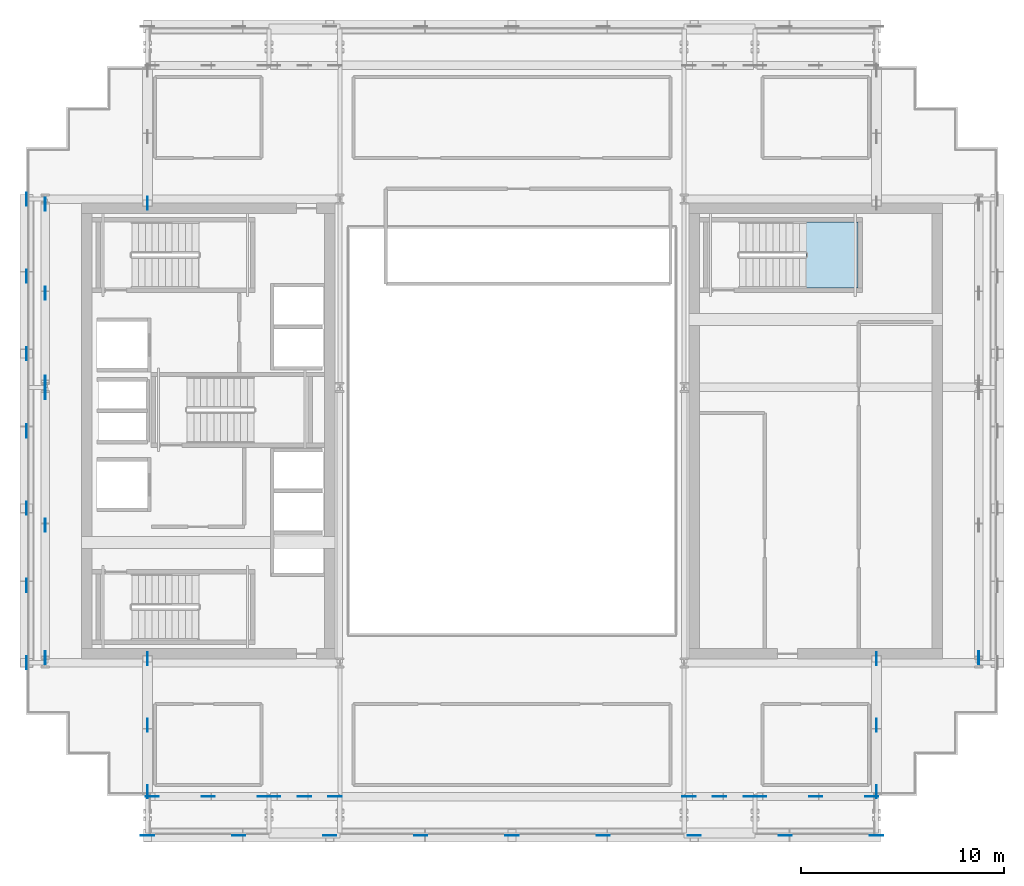
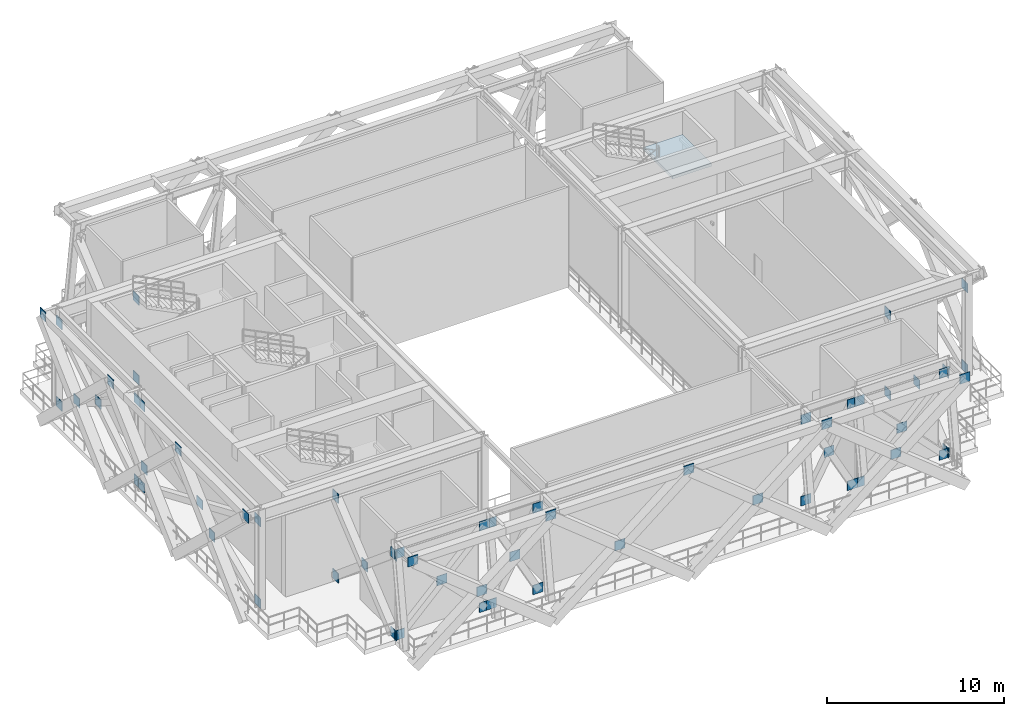
# One storey, part 4 of 13: 60 plates, 1 slab, 1 element without a shape of its own.
"""IFC4 building model written with IfcOpenShell, lengths in metres."""

from ifc_helpers import new_model, si_unit, direction, frame, origin, origin_2d, place, context, subcontext, project, spatial, polyline, rectangle, outline, extrude, source, transform, mapped, material, layer, layer_set, type_object, element, aggregate, save


model = new_model("IFC4")

# Units and contexts
model_context = context("Model", 3, precision=1e-05, world=origin(), true_north=direction((0.0, 1.0)))
body_context = subcontext(model_context, "Body", "Model", "MODEL_VIEW")
ifc_project = project(units=[si_unit("LENGTHUNIT", "METRE"), si_unit("AREAUNIT", "SQUARE_METRE"), si_unit("VOLUMEUNIT", "CUBIC_METRE"), si_unit("PLANEANGLEUNIT", "RADIAN"), si_unit("MASSUNIT", "GRAM", prefix="KILO")], contexts=[model_context])

# Site, building, storey
site_placement = place(None, origin())
site = spatial("IfcSite", under=ifc_project, at=site_placement, CompositionType="ELEMENT")
building_placement = place(site_placement, origin())
building = spatial("IfcBuilding", under=site, at=building_placement, Name="Ocotamira Hotel", CompositionType="ELEMENT")
storey_placement = place(building_placement, frame((0.0, 0.0, 220.800048828125)))
storey = spatial("IfcBuildingStorey", under=building, at=storey_placement, Name="L56", CompositionType="ELEMENT", Elevation=220.800048828125)

# Stair, slab
ifc_material_1 = material(Name="Concrete C40/50", Category="concrete")
stair_type = type_object("IfcStairType", Name="ST-CORE-1560", PredefinedType="HALF_TURN_STAIR", material=ifc_material_1)
stair_placement = place(storey_placement, origin())
stair = element("IfcStair", 1, at=stair_placement, inside=storey, type_object=stair_type, Name="L56 Exit Stair ST-4", PredefinedType="HALF_TURN_STAIR")
ifc_layer_1 = layer(ifc_material_1, 0.199951171875)
ifc_layer_set_1 = layer_set([ifc_layer_1], Name="Concrete C40/50")
slab_type = type_object("IfcSlabType", Name="SLB-LAND-200", PredefinedType="LANDING", material=ifc_layer_set_1)
slab_placement = place(storey_placement, frame((0.0, 0.0, 5.199951171875)))
slab = element("IfcSlab", 2, at=slab_placement, type_object=slab_type, Name="ST-4 landing 3", PredefinedType="LANDING", context=body_context, shape_type="SweptSolid", body=[
    extrude(outline(polyline([(46.530029296875, 33.050048828125), (49.090087890625, 33.050048828125), (49.090087890625, 36.330078125), (46.530029296875, 36.330078125), (46.530029296875, 33.050048828125)])), origin(), (0.0, 0.0, 1.0), 0.199951171875),
])
aggregate(stair, [slab])

# Plates
ifc_material_2 = material(Name="Pale-metal coated steel ASTM A572 Grade 50", Category="steel")
ifc_layer_2 = layer(ifc_material_2, 0.0400390625)
ifc_layer_set_2 = layer_set([ifc_layer_2], Name="Pale-metal coated steel ASTM A572 Grade 50")
plate_type = type_object("IfcPlateType", Name="PLT-GUSSET-40", PredefinedType="SHEET", material=ifc_layer_set_2)
shared_shape_1 = source(origin(), body_context, "Body", "SweptSolid", [
    extrude(rectangle(XDim=0.64990234375, YDim=0.0400390625, at=origin_2d()), origin(), (0.0, 0.0, 1.0), 0.64990234375),
])
for number, where, z_axis, x_axis, name in (
    (3, (14.239990234375, 7.949951171875, 0.02490234375), (0.0, 0.0, 1.0), (1.0, 0.0, 0.0), "L56 Belt Truss Diagonal 14,7.95 A End Gusset A"),
    (4, (19.760009765625, 7.949951171875, 5.635009765625), (0.0, 0.0, 1.0), (1.0, 0.0, 0.0), "L56 Belt Truss Diagonal 14,7.95 A End Gusset B"),
    (5, (17.0, 7.949951171875, 2.830078125), (0.0, 0.0, 1.0), (1.0, 0.0, 0.0), "L56 Belt Truss Diagonal 14,7.95 B Crossing Gusset Plate"),
    (6, (14.239990234375, 7.949951171875, 5.635009765625), (0.0, 0.0, 1.0), (1.0, 0.0, 0.0), "L56 Belt Truss Diagonal 14,7.95 B End Gusset A"),
    (7, (19.760009765625, 7.949951171875, 0.02490234375), (0.0, 0.0, 1.0), (1.0, 0.0, 0.0), "L56 Belt Truss Diagonal 14,7.95 B End Gusset B"),
    (8, (20.239990234375, 7.949951171875, 0.02490234375), (0.0, 0.0, 1.0), (1.0, 0.0, 0.0), "L56 Belt Truss Diagonal 20,7.95 A End Gusset A"),
    (9, (23.260009765625, 7.949951171875, 5.635009765625), (0.0, 0.0, 1.0), (1.0, 0.0, 0.0), "L56 Belt Truss Diagonal 20,7.95 A End Gusset B"),
    (10, (21.75, 7.949951171875, 2.830078125), (0.0, 0.0, 1.0), (1.0, 0.0, 0.0), "L56 Belt Truss Diagonal 20,7.95 B Crossing Gusset Plate"),
    (11, (20.239990234375, 7.949951171875, 5.635009765625), (0.0, 0.0, 1.0), (1.0, 0.0, 0.0), "L56 Belt Truss Diagonal 20,7.95 B End Gusset A"),
    (12, (23.260009765625, 7.949951171875, 0.02490234375), (0.0, 0.0, 1.0), (1.0, 0.0, 0.0), "L56 Belt Truss Diagonal 20,7.95 B End Gusset B"),
    (13, (40.739990234375, 7.949951171875, 0.02490234375), (0.0, 0.0, 1.0), (1.0, 0.0, 0.0), "L56 Belt Truss Diagonal 40.5,7.95 A End Gusset A"),
    (14, (43.760009765625, 7.949951171875, 5.635009765625), (0.0, 0.0, 1.0), (1.0, 0.0, 0.0), "L56 Belt Truss Diagonal 40.5,7.95 A End Gusset B"),
    (15, (42.25, 7.949951171875, 2.830078125), (0.0, 0.0, 1.0), (1.0, 0.0, 0.0), "L56 Belt Truss Diagonal 40.5,7.95 B Crossing Gusset Plate"),
    (16, (40.739990234375, 7.949951171875, 5.635009765625), (0.0, 0.0, 1.0), (1.0, 0.0, 0.0), "L56 Belt Truss Diagonal 40.5,7.95 B End Gusset A"),
    (17, (43.760009765625, 7.949951171875, 0.02490234375), (0.0, 0.0, 1.0), (1.0, 0.0, 0.0), "L56 Belt Truss Diagonal 40.5,7.95 B End Gusset B"),
    (18, (44.239990234375, 7.949951171875, 0.02490234375), (0.0, 0.0, 1.0), (1.0, 0.0, 0.0), "L56 Belt Truss Diagonal 44,7.95 A End Gusset A"),
    (19, (49.760009765625, 7.949951171875, 5.635009765625), (0.0, 0.0, 1.0), (1.0, 0.0, 0.0), "L56 Belt Truss Diagonal 44,7.95 A End Gusset B"),
    (20, (47.0, 7.949951171875, 2.830078125), (0.0, 0.0, 1.0), (1.0, 0.0, 0.0), "L56 Belt Truss Diagonal 44,7.95 B Crossing Gusset Plate"),
    (21, (44.239990234375, 7.949951171875, 5.635009765625), (0.0, 0.0, 1.0), (1.0, 0.0, 0.0), "L56 Belt Truss Diagonal 44,7.95 B End Gusset A"),
    (22, (49.760009765625, 7.949951171875, 0.02490234375), (0.0, 0.0, 1.0), (1.0, 0.0, 0.0), "L56 Belt Truss Diagonal 44,7.95 B End Gusset B"),
    (23, (23.0, 6.030029296875, 6.344970703125), (0.0, 0.0, 1.0), (1.0, 0.0, 0.0), "L56 Exoskeleton Diagrid S0.1 End Gusset B"),
    (24, (18.5, 6.030029296875, 2.72509765625), (0.0, 0.0, 1.0), (-1.0, 0.0, 0.0), "L56 Exoskeleton Diagrid S0.2 Crossing Gusset Plate"),
    (25, (14.0, 6.030029296875, 6.344970703125), (0.0, 0.0, 1.0), (-1.0, 0.0, 0.0), "L56 Exoskeleton Diagrid S0.2 End Gusset B"),
    (26, (32.0, 6.030029296875, 6.344970703125), (0.0, 0.0, 1.0), (1.0, 0.0, 0.0), "L56 Exoskeleton Diagrid S1.1 End Gusset B"),
    (27, (27.5, 6.030029296875, 2.72509765625), (0.0, 0.0, 1.0), (-1.0, 0.0, 0.0), "L56 Exoskeleton Diagrid S1.2 Crossing Gusset Plate"),
    (28, (41.0, 6.030029296875, 6.344970703125), (0.0, 0.0, 1.0), (1.0, 0.0, 0.0), "L56 Exoskeleton Diagrid S2.1 End Gusset B"),
    (29, (36.5, 6.030029296875, 2.72509765625), (0.0, 0.0, 1.0), (-1.0, 0.0, 0.0), "L56 Exoskeleton Diagrid S2.2 Crossing Gusset Plate"),
    (30, (50.0, 6.030029296875, 6.344970703125), (0.0, 0.0, 1.0), (1.0, 0.0, 0.0), "L56 Exoskeleton Diagrid S3.1 End Gusset B"),
    (31, (45.5, 6.030029296875, 2.72509765625), (0.0, 0.0, 1.0), (-1.0, 0.0, 0.0), "L56 Exoskeleton Diagrid S3.2 Crossing Gusset Plate"),
):
    element("IfcPlate", number, at=place(storey_placement, frame(where, z_axis=z_axis, x_axis=x_axis)), inside=storey, type_object=plate_type, Name=name, PredefinedType="SHEET", context=body_context, shape_type="MappedRepresentation", body=[
        mapped(shared_shape_1, transform((0.0, 0.0, 0.0), scale=1.0)),
    ])
shared_shape_2 = source(origin(), body_context, "Body", "SweptSolid", [
    extrude(rectangle(XDim=0.0400390625, YDim=0.64990234375, at=origin_2d()), origin(), (0.0, 0.0, 1.0), 0.64990234375),
])
for number, where, z_axis, x_axis, name in (
    (32, (14.0, 14.75, 0.02490234375), (0.0, 0.0, 1.0), (1.0, 0.0, 0.0), "L56 Outrigger Truss S X14 A End Gusset A"),
    (33, (14.0, 8.179931640625, 5.514892578125), (0.0, 0.0, 1.0), (1.0, 0.0, 0.0), "L56 Outrigger Truss S X14 A End Gusset B"),
    (34, (14.0, 11.465087890625, 2.77001953125), (0.0, 0.0, 1.0), (1.0, 0.0, 0.0), "L56 Outrigger Truss S X14 B Crossing Gusset Plate"),
    (35, (14.0, 14.75, 5.514892578125), (0.0, 0.0, 1.0), (1.0, 0.0, 0.0), "L56 Outrigger Truss S X14 B End Gusset A"),
    (36, (14.0, 8.179931640625, 0.02490234375), (0.0, 0.0, 1.0), (1.0, 0.0, 0.0), "L56 Outrigger Truss S X14 B End Gusset B"),
    (37, (14.0, 37.25, 0.02490234375), (0.0, 0.0, 1.0), (1.0, 0.0, 0.0), "L56 Outrigger Truss N X14 A End Gusset A"),
    (38, (14.0, 37.25, 5.514892578125), (0.0, 0.0, 1.0), (1.0, 0.0, 0.0), "L56 Outrigger Truss N X14 B End Gusset A"),
    (39, (50.0, 14.75, 0.02490234375), (0.0, 0.0, 1.0), (1.0, 0.0, 0.0), "L56 Outrigger Truss S X50 A End Gusset A"),
    (40, (50.0, 8.179931640625, 5.514892578125), (0.0, 0.0, 1.0), (1.0, 0.0, 0.0), "L56 Outrigger Truss S X50 A End Gusset B"),
    (41, (50.0, 11.465087890625, 2.77001953125), (0.0, 0.0, 1.0), (1.0, 0.0, 0.0), "L56 Outrigger Truss S X50 B Crossing Gusset Plate"),
    (42, (50.0, 14.75, 5.514892578125), (0.0, 0.0, 1.0), (1.0, 0.0, 0.0), "L56 Outrigger Truss S X50 B End Gusset A"),
    (43, (50.0, 8.179931640625, 0.02490234375), (0.0, 0.0, 1.0), (1.0, 0.0, 0.0), "L56 Outrigger Truss S X50 B End Gusset B"),
    (44, (8.949951171875, 14.800048828125, 0.02490234375), (0.0, 0.0, 1.0), (1.0, 0.0, 0.0), "L56 Belt Truss Diagonal 8.95,14.55 A End Gusset A"),
    (45, (8.949951171875, 27.89990234375, 5.635009765625), (0.0, 0.0, 1.0), (1.0, 0.0, 0.0), "L56 Belt Truss Diagonal 8.95,14.55 A End Gusset B"),
    (46, (8.949951171875, 21.35009765625, 2.830078125), (0.0, 0.0, 1.0), (1.0, 0.0, 0.0), "L56 Belt Truss Diagonal 8.95,14.55 B Crossing Gusset Plate"),
    (47, (8.949951171875, 14.800048828125, 5.635009765625), (0.0, 0.0, 1.0), (1.0, 0.0, 0.0), "L56 Belt Truss Diagonal 8.95,14.55 B End Gusset A"),
    (48, (8.949951171875, 27.89990234375, 0.02490234375), (0.0, 0.0, 1.0), (1.0, 0.0, 0.0), "L56 Belt Truss Diagonal 8.95,14.55 B End Gusset B"),
    (49, (8.949951171875, 28.39990234375, 0.02490234375), (0.0, 0.0, 1.0), (1.0, 0.0, 0.0), "L56 Belt Truss Diagonal 8.95,28.15 A End Gusset A"),
    (50, (8.949951171875, 37.199951171875, 5.635009765625), (0.0, 0.0, 1.0), (1.0, 0.0, 0.0), "L56 Belt Truss Diagonal 8.95,28.15 A End Gusset B"),
    (51, (8.949951171875, 32.800048828125, 2.830078125), (0.0, 0.0, 1.0), (1.0, 0.0, 0.0), "L56 Belt Truss Diagonal 8.95,28.15 B Crossing Gusset Plate"),
    (52, (8.949951171875, 28.39990234375, 5.635009765625), (0.0, 0.0, 1.0), (1.0, 0.0, 0.0), "L56 Belt Truss Diagonal 8.95,28.15 B End Gusset A"),
    (53, (8.949951171875, 37.199951171875, 0.02490234375), (0.0, 0.0, 1.0), (1.0, 0.0, 0.0), "L56 Belt Truss Diagonal 8.95,28.15 B End Gusset B"),
    (54, (55.050048828125, 14.800048828125, 0.02490234375), (0.0, 0.0, 1.0), (1.0, 0.0, 0.0), "L56 Belt Truss Diagonal 55.05,14.55 A End Gusset A"),
    (55, (55.050048828125, 14.800048828125, 5.635009765625), (0.0, 0.0, 1.0), (1.0, 0.0, 0.0), "L56 Belt Truss Diagonal 55.05,14.55 B End Gusset A"),
    (56, (8.030029296875, 22.183349609375, 6.344970703125), (0.0, 0.0, 1.0), (1.0, 0.0, 0.0), "L56 Exoskeleton Diagrid W0.1 End Gusset B"),
    (57, (8.030029296875, 18.36669921875, 2.72509765625), (0.0, 0.0, 1.0), (1.0, 0.0, 0.0), "L56 Exoskeleton Diagrid W0.2 Crossing Gusset Plate"),
    (58, (8.030029296875, 14.550048828125, 6.344970703125), (0.0, 0.0, 1.0), (1.0, 0.0, 0.0), "L56 Exoskeleton Diagrid W0.2 End Gusset B"),
    (59, (8.030029296875, 29.816650390625, 6.344970703125), (0.0, 0.0, 1.0), (1.0, 0.0, 0.0), "L56 Exoskeleton Diagrid W1.1 End Gusset B"),
    (60, (8.030029296875, 26.0, 2.72509765625), (0.0, 0.0, 1.0), (1.0, 0.0, 0.0), "L56 Exoskeleton Diagrid W1.2 Crossing Gusset Plate"),
    (61, (8.030029296875, 37.449951171875, 6.344970703125), (0.0, 0.0, 1.0), (1.0, 0.0, 0.0), "L56 Exoskeleton Diagrid W2.1 End Gusset B"),
    (62, (8.030029296875, 33.63330078125, 2.72509765625), (0.0, 0.0, 1.0), (1.0, 0.0, 0.0), "L56 Exoskeleton Diagrid W2.2 Crossing Gusset Plate"),
):
    element("IfcPlate", number, at=place(storey_placement, frame(where, z_axis=z_axis, x_axis=x_axis)), inside=storey, type_object=plate_type, Name=name, PredefinedType="SHEET", context=body_context, shape_type="MappedRepresentation", body=[
        mapped(shared_shape_2, transform((0.0, 0.0, 0.0), scale=1.0)),
    ])

save(model, "model.ifc")
